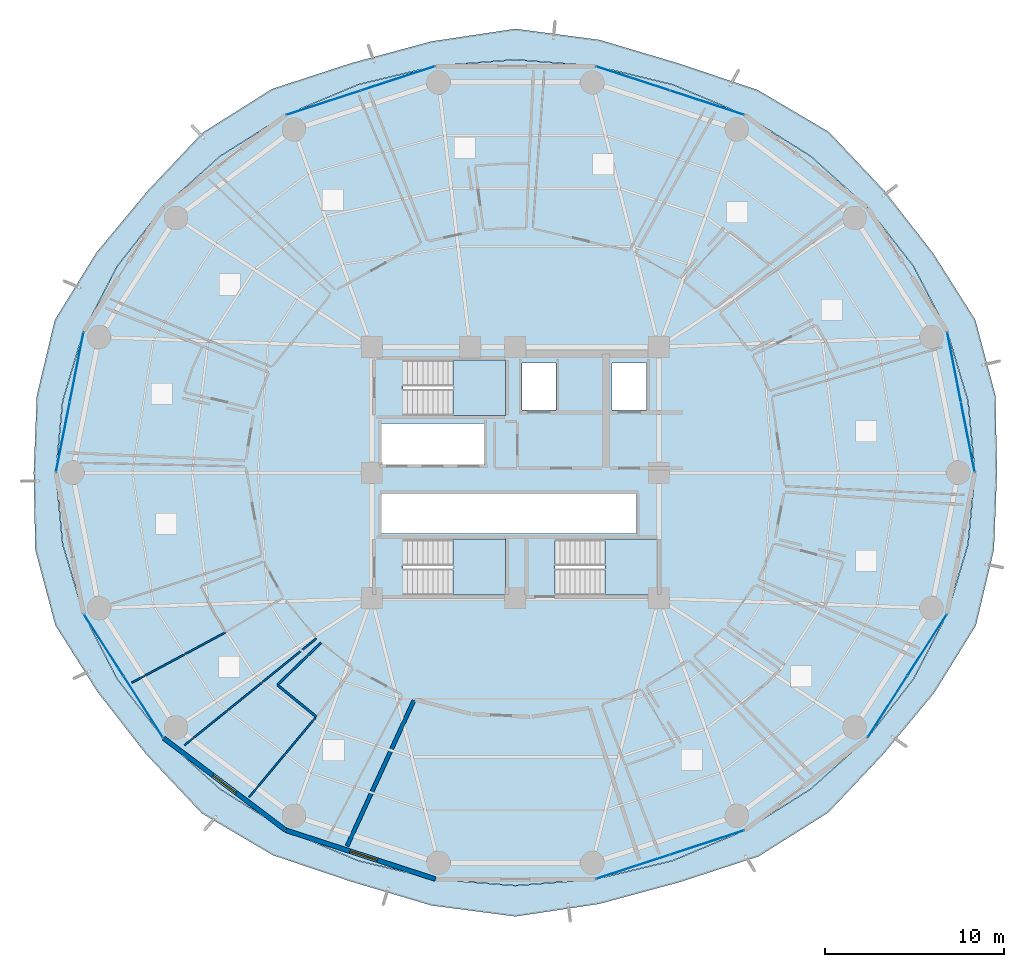
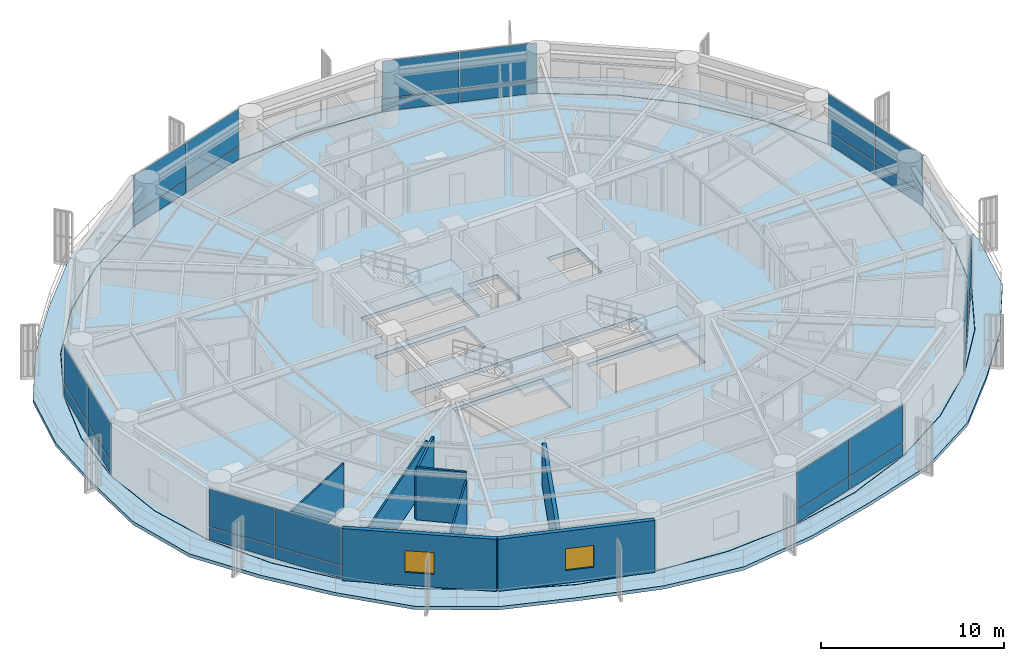
# One storey, part 28 of 37: 28 plates, 8 walls, 5 slabs, 2 windows, 2 openings, 10 elements without a shape of their own.
"""IFC4 building model written with IfcOpenShell, lengths in metres."""

from ifc_helpers import new_model, si_unit, direction, frame, frame_2d, origin, origin_2d, place, context, subcontext, project, spatial, polyline, rectangle, outline, extrude, source, transform, mapped, material, layer, layer_set, type_object, element, fill, aggregate, save


model = new_model("IFC4")

# Units and contexts
model_context = context("Model", 3, precision=1e-05, world=origin(), true_north=direction((0.0, 1.0)))
body_context = subcontext(model_context, "Body", "Model", "MODEL_VIEW")
ifc_project = project(units=[si_unit("LENGTHUNIT", "METRE"), si_unit("AREAUNIT", "SQUARE_METRE"), si_unit("VOLUMEUNIT", "CUBIC_METRE"), si_unit("PLANEANGLEUNIT", "RADIAN"), si_unit("MASSUNIT", "GRAM", prefix="KILO")], contexts=[model_context])

# Site, building, storey
site_placement = place(None, origin())
site = spatial("IfcSite", under=ifc_project, at=site_placement, CompositionType="ELEMENT")
building_placement = place(site_placement, origin())
building = spatial("IfcBuilding", under=site, at=building_placement, Name="Kelanora Arch Commons", CompositionType="ELEMENT")
storey_placement = place(building_placement, frame((0.0, 0.0, 110.10009765625)))
storey = spatial("IfcBuildingStorey", under=building, at=storey_placement, Name="L28", CompositionType="ELEMENT", Elevation=110.10009765625)

# Stair, slab
ifc_material_1 = material(Name="Concrete C40/50", Category="concrete")
stair_type = type_object("IfcStairType", Name="STR-DL-375", PredefinedType="HALF_TURN_STAIR", material=ifc_material_1)
stair_1_placement = place(storey_placement, origin())
stair_1 = element("IfcStair", 1, at=stair_1_placement, inside=storey, type_object=stair_type, Name="L28 ST-T1", PredefinedType="HALF_TURN_STAIR")
ifc_layer_1 = layer(ifc_material_1, 0.199951171875)
ifc_layer_set_1 = layer_set([ifc_layer_1], Name="Concrete C40/50")
slab_type_1 = type_object("IfcSlabType", Name="SLB-STAIR-LND", PredefinedType="LANDING", material=ifc_layer_set_1)
slab_1_placement = place(storey_placement, frame((0.0, 0.0, 1.6748046875)))
slab_1 = element("IfcSlab", 2, at=slab_1_placement, type_object=slab_type_1, Name="ST-T1 landing 1", PredefinedType="LANDING", context=body_context, shape_type="SweptSolid", body=[
    extrude(outline(polyline([(70.52001953125, 61.179931640625), (73.43994140625, 61.179931640625), (73.43994140625, 64.2900390625), (70.52001953125, 64.2900390625), (70.52001953125, 61.179931640625)])), origin(), (0.0, 0.0, 1.0), 0.2001953125),
])
aggregate(stair_1, [slab_1])

stair_2_placement = place(storey_placement, origin())
stair_2 = element("IfcStair", 3, at=stair_2_placement, inside=storey, type_object=stair_type, Name="L28 ST-T2", PredefinedType="HALF_TURN_STAIR")
slab_2_placement = place(storey_placement, frame((0.0, 0.0, 1.6748046875)))
slab_2 = element("IfcSlab", 4, at=slab_2_placement, type_object=slab_type_1, Name="ST-T2 landing 1", PredefinedType="LANDING", context=body_context, shape_type="SweptSolid", body=[
    extrude(outline(polyline([(79.0, 51.179931640625), (81.919921875, 51.179931640625), (81.919921875, 54.2900390625), (79.0, 54.2900390625), (79.0, 51.179931640625)])), origin(), (0.0, 0.0, 1.0), 0.2001953125),
])
aggregate(stair_2, [slab_2])

stair_3_placement = place(storey_placement, origin())
stair_3 = element("IfcStair", 5, at=stair_3_placement, inside=storey, type_object=stair_type, Name="L28 ST-T3", PredefinedType="HALF_TURN_STAIR")
slab_3_placement = place(storey_placement, frame((0.0, 0.0, 1.6748046875)))
slab_3 = element("IfcSlab", 6, at=slab_3_placement, type_object=slab_type_1, Name="ST-T3 landing 1", PredefinedType="LANDING", context=body_context, shape_type="SweptSolid", body=[
    extrude(outline(polyline([(70.52001953125, 51.179931640625), (73.43994140625, 51.179931640625), (73.43994140625, 54.2900390625), (70.52001953125, 54.2900390625), (70.52001953125, 51.179931640625)])), origin(), (0.0, 0.0, 1.0), 0.2001953125),
])
aggregate(stair_3, [slab_3])

# Slabs
ifc_layer_2 = layer(ifc_material_1, 0.260009765625)
ifc_layer_set_2 = layer_set([ifc_layer_2], Name="Concrete C40/50")
slab_type_2 = type_object("IfcSlabType", Name="SLB-TWR-TYP", PredefinedType="FLOOR", material=ifc_layer_set_2)
slab_4_placement = place(storey_placement, frame((0.0, 0.0, -0.260009765625)))
element("IfcSlab", 7, at=slab_4_placement, inside=storey, type_object=slab_type_2, Name="Tower Floor Slab L28", PredefinedType="FLOOR", context=body_context, shape_type="SweptSolid", body=[
    extrude(outline(polyline([(99.60009765625, 58.0), (99.211181640625, 61.993896484375), (98.05615234375, 65.866455078125), (96.17041015625, 69.5), (93.610595703125, 72.7841796875), (90.455322265625, 75.618896484375), (86.800048828125, 77.918701171875), (82.755615234375, 79.61279296875), (78.4453125, 80.650634765625), (74.0, 81.0), (69.5546875, 80.650634765625), (65.244384765625, 79.61279296875), (61.199951171875, 77.918701171875), (57.544677734375, 75.618896484375), (54.389404296875, 72.7841796875), (51.82958984375, 69.5), (49.94384765625, 65.866455078125), (48.788818359375, 61.993896484375), (48.39990234375, 58.0), (48.788818359375, 54.006103515625), (49.94384765625, 50.133544921875), (51.82958984375, 46.5), (54.389404296875, 43.2158203125), (57.544677734375, 40.381103515625), (61.199951171875, 38.081298828125), (65.244384765625, 36.38720703125), (69.5546875, 35.349365234375), (74.0, 35.0), (78.4453125, 35.349365234375), (82.755615234375, 36.38720703125), (86.800048828125, 38.081298828125), (90.455322265625, 40.381103515625), (93.610595703125, 43.2158203125), (96.17041015625, 46.5), (98.05615234375, 50.133544921875), (99.211181640625, 54.006103515625), (99.60009765625, 58.0)]), holes=[polyline([(73.431884765625, 51.18798828125), (67.72802734375, 51.18798828125), (67.72802734375, 54.281982421875), (73.431884765625, 54.281982421875), (73.431884765625, 51.18798828125)]), polyline([(76.2080078125, 51.18798828125), (76.2080078125, 54.281982421875), (81.912109375, 54.281982421875), (81.912109375, 51.18798828125), (76.2080078125, 51.18798828125)]), polyline([(66.550048828125, 54.60009765625), (66.550048828125, 56.800048828125), (80.75, 56.800048828125), (80.75, 54.60009765625), (66.550048828125, 54.60009765625)]), polyline([(66.550048828125, 58.449951171875), (66.550048828125, 60.75), (72.25, 60.75), (72.25, 58.449951171875), (66.550048828125, 58.449951171875)]), polyline([(67.72802734375, 61.18798828125), (67.72802734375, 64.281982421875), (73.431884765625, 64.281982421875), (73.431884765625, 61.18798828125), (67.72802734375, 61.18798828125)]), polyline([(74.3798828125, 61.47998046875), (74.3798828125, 64.1201171875), (76.260009765625, 64.1201171875), (76.260009765625, 61.47998046875), (74.3798828125, 61.47998046875)]), polyline([(79.3798828125, 61.47998046875), (79.3798828125, 64.1201171875), (81.320068359375, 64.1201171875), (81.320068359375, 61.47998046875), (79.3798828125, 61.47998046875)])]), origin(), (0.0, 0.0, 1.0), 0.260009765625),
])
ifc_layer_3 = layer(ifc_material_1, 0.219970703125)
ifc_layer_set_3 = layer_set([ifc_layer_3], Name="Concrete C40/50")
slab_type_3 = type_object("IfcSlabType", Name="SLB-WAVE-BAL", PredefinedType="FLOOR", material=ifc_layer_set_3)
slab_5_placement = place(storey_placement, frame((0.0, 0.0, -0.22021484375)))
element("IfcSlab", 8, at=slab_5_placement, inside=storey, type_object=slab_type_3, Name="Sinusoidal Wave Balcony Slab L28", PredefinedType="FLOOR", context=body_context, shape_type="SweptSolid", body=[
    extrude(outline(polyline([(100.836181640625, 58.0), (100.74951171875, 62.2958984375), (99.630615234375, 66.50439453125), (97.281982421875, 70.214599609375), (94.57666015625, 73.686279296875), (91.47802734375, 76.9755859375), (87.52197265625, 79.310302734375), (83.139892578125, 80.787841796875), (78.67724609375, 82.114501953125), (74.0, 82.728515625), (69.336181640625, 82.0302734375), (64.850830078125, 80.81591796875), (60.443603515625, 79.377197265625), (56.5556640625, 76.930908203125), (53.464111328125, 73.648193359375), (50.65478515625, 70.255126953125), (48.341796875, 66.515380859375), (47.33447265625, 62.279296875), (47.163818359375, 58.0), (47.25048828125, 53.7041015625), (48.369384765625, 49.49560546875), (50.718017578125, 45.785400390625), (53.42333984375, 42.313720703125), (56.52197265625, 39.0244140625), (60.47802734375, 36.689697265625), (64.860107421875, 35.212158203125), (69.32275390625, 33.885498046875), (74.0, 33.271484375), (78.663818359375, 33.9697265625), (83.149169921875, 35.18408203125), (87.556396484375, 36.622802734375), (91.4443359375, 39.069091796875), (94.535888671875, 42.351806640625), (97.34521484375, 45.744873046875), (99.658203125, 49.484619140625), (100.66552734375, 53.720703125), (100.836181640625, 58.0)]), holes=[polyline([(99.230712890625, 54.002685546875), (98.074951171875, 50.126708984375), (96.1875, 46.489990234375), (93.626220703125, 43.202880859375), (90.46826171875, 40.36572265625), (86.81005859375, 38.064208984375), (82.7626953125, 36.368408203125), (78.448974609375, 35.32958984375), (74.0, 34.97998046875), (69.551025390625, 35.32958984375), (65.2373046875, 36.368408203125), (61.18994140625, 38.064208984375), (57.53173828125, 40.36572265625), (54.373779296875, 43.202880859375), (51.8125, 46.489990234375), (49.925048828125, 50.126708984375), (48.769287109375, 54.002685546875), (48.3798828125, 58.0), (48.769287109375, 61.997314453125), (49.925048828125, 65.873291015625), (51.8125, 69.510009765625), (54.373779296875, 72.797119140625), (57.53173828125, 75.63427734375), (61.18994140625, 77.935791015625), (65.2373046875, 79.631591796875), (69.551025390625, 80.67041015625), (74.0, 81.02001953125), (78.448974609375, 80.67041015625), (82.7626953125, 79.631591796875), (86.81005859375, 77.935791015625), (90.46826171875, 75.63427734375), (93.626220703125, 72.797119140625), (96.1875, 69.510009765625), (98.074951171875, 65.873291015625), (99.230712890625, 61.997314453125), (99.6201171875, 58.0), (99.230712890625, 54.002685546875)])]), origin(), (0.0, 0.0, 1.0), 0.22021484375),
])

# Curtain wall, plates
ifc_material_2 = material(Name="Terracotta ceramic-fritted low-E glass and aluminium", Category="masonry")
ifc_layer_4 = layer(ifc_material_2, 0.159912109375)
ifc_layer_set_4 = layer_set([ifc_layer_4], Name="Terracotta ceramic-fritted low-E glass and aluminium")
curtain_wall_type = type_object("IfcCurtainWallType", Name="CW-SYS-01", PredefinedType="NOTDEFINED", material=ifc_layer_set_4)
curtain_wall_1_placement = place(storey_placement, origin())
curtain_wall_1 = element("IfcCurtainWall", 9, at=curtain_wall_1_placement, inside=storey, type_object=curtain_wall_type, Name="Unitised Curtain Wall L28-B00", PredefinedType="NOTDEFINED")
ifc_material_3 = material(Name="Terracotta ceramic-fritted double glazing", Category="masonry")
ifc_layer_5 = layer(ifc_material_3, 0.028076171875)
ifc_layer_set_5 = layer_set([ifc_layer_5], Name="Terracotta ceramic-fritted double glazing")
plate_type = type_object("IfcPlateType", Name="CWP-FRIT", PredefinedType="CURTAIN_PANEL", material=ifc_layer_set_5)
shared_shape_1 = source(origin(), body_context, "Body", "SweptSolid", [
    extrude(rectangle(XDim=3.9033203125, YDim=0.028076171875, at=origin_2d()), origin(), (0.0, 0.0, 1.0), 0.81005859375),
])
plate_1_placement = place(storey_placement, frame((99.209716796875, 59.98876953125, 0.059814453125), z_axis=(0.0, 0.0, 1.0), x_axis=(-0.192584916272, 0.981280311646, 0.0)))
plate_1 = element("IfcPlate", 10, at=plate_1_placement, type_object=plate_type, Name="CW-01 panel 1.1", PredefinedType="CURTAIN_PANEL", context=body_context, shape_type="MappedRepresentation", body=[
    mapped(shared_shape_1, transform((0.0, 0.0, 0.0), scale=1.0)),
])
plate_2_placement = place(storey_placement, frame((98.446533203125, 63.877685546875, 0.059814453125), z_axis=(0.0, 0.0, 1.0), x_axis=(-0.192584916272, 0.981280311646, 0.0)))
plate_2 = element("IfcPlate", 11, at=plate_2_placement, type_object=plate_type, Name="CW-01 panel 2.1", PredefinedType="CURTAIN_PANEL", context=body_context, shape_type="MappedRepresentation", body=[
    mapped(shared_shape_1, transform((0.0, 0.0, 0.0), scale=1.0)),
])

curtain_wall_2_placement = place(storey_placement, origin())
curtain_wall_2 = element("IfcCurtainWall", 12, at=curtain_wall_2_placement, inside=storey, type_object=curtain_wall_type, Name="Unitised Curtain Wall L28-B08", PredefinedType="NOTDEFINED")
plate_3_placement = place(storey_placement, frame((49.553466796875, 63.877685546875, 0.059814453125), z_axis=(0.0, 0.0, 1.0), x_axis=(-0.192584916272, -0.981280311646, 0.0)))
plate_3 = element("IfcPlate", 13, at=plate_3_placement, type_object=plate_type, Name="CW-01 panel 1.1", PredefinedType="CURTAIN_PANEL", context=body_context, shape_type="MappedRepresentation", body=[
    mapped(shared_shape_1, transform((0.0, 0.0, 0.0), scale=1.0)),
])
plate_4_placement = place(storey_placement, frame((48.790283203125, 59.98876953125, 0.059814453125), z_axis=(0.0, 0.0, 1.0), x_axis=(-0.192584916272, -0.981280311646, 0.0)))
plate_4 = element("IfcPlate", 14, at=plate_4_placement, type_object=plate_type, Name="CW-01 panel 2.1", PredefinedType="CURTAIN_PANEL", context=body_context, shape_type="MappedRepresentation", body=[
    mapped(shared_shape_1, transform((0.0, 0.0, 0.0), scale=1.0)),
])

# Plate
shared_shape_2 = source(origin(), body_context, "Body", "SweptSolid", [
    extrude(rectangle(XDim=3.9033203125, YDim=0.028076171875, at=origin_2d()), origin(), (0.0, 0.0, 1.0), 2.485107421875),
])
plate_5_placement = place(storey_placement, frame((99.209716796875, 59.98876953125, 0.9296875), z_axis=(0.0, 0.0, 1.0), x_axis=(-0.192584916272, 0.981280311646, 0.0)))
plate_5 = element("IfcPlate", 15, at=plate_5_placement, type_object=plate_type, Name="CW-01 panel 1.2", PredefinedType="CURTAIN_PANEL", context=body_context, shape_type="MappedRepresentation", body=[
    mapped(shared_shape_2, transform((0.0, 0.0, 0.0), scale=1.0)),
])

plate_6_placement = place(storey_placement, frame((98.446533203125, 63.877685546875, 0.9296875), z_axis=(0.0, 0.0, 1.0), x_axis=(-0.192584916272, 0.981280311646, 0.0)))
plate_6 = element("IfcPlate", 16, at=plate_6_placement, type_object=plate_type, Name="CW-01 panel 2.2", PredefinedType="CURTAIN_PANEL", context=body_context, shape_type="MappedRepresentation", body=[
    mapped(shared_shape_2, transform((0.0, 0.0, 0.0), scale=1.0)),
])

aggregate(curtain_wall_1, [plate_1, plate_5, plate_2, plate_6])

plate_7_placement = place(storey_placement, frame((49.553466796875, 63.877685546875, 0.9296875), z_axis=(0.0, 0.0, 1.0), x_axis=(-0.192584916272, -0.981280311646, 0.0)))
plate_7 = element("IfcPlate", 17, at=plate_7_placement, type_object=plate_type, Name="CW-01 panel 1.2", PredefinedType="CURTAIN_PANEL", context=body_context, shape_type="MappedRepresentation", body=[
    mapped(shared_shape_2, transform((0.0, 0.0, 0.0), scale=1.0)),
])

plate_8_placement = place(storey_placement, frame((48.790283203125, 59.98876953125, 0.9296875), z_axis=(0.0, 0.0, 1.0), x_axis=(-0.192584916272, -0.981280311646, 0.0)))
plate_8 = element("IfcPlate", 18, at=plate_8_placement, type_object=plate_type, Name="CW-01 panel 2.2", PredefinedType="CURTAIN_PANEL", context=body_context, shape_type="MappedRepresentation", body=[
    mapped(shared_shape_2, transform((0.0, 0.0, 0.0), scale=1.0)),
])

aggregate(curtain_wall_2, [plate_3, plate_7, plate_4, plate_8])

# Curtain wall, plates
curtain_wall_3_placement = place(storey_placement, origin())
curtain_wall_3 = element("IfcCurtainWall", 19, at=curtain_wall_3_placement, inside=storey, type_object=curtain_wall_type, Name="Unitised Curtain Wall L28-B03", PredefinedType="NOTDEFINED")
shared_shape_3 = source(origin(), body_context, "Body", "SweptSolid", [
    extrude(rectangle(XDim=4.2900390625, YDim=0.028076171875, at=origin_2d()), origin(), (0.0, 0.0, 1.0), 0.81005859375),
])
plate_9_placement = place(storey_placement, frame((84.68994140625, 78.608642578125, 0.059814453125), z_axis=(0.0, 0.0, 1.0), x_axis=(-0.950473795867, 0.31080470294, 0.0)))
plate_9 = element("IfcPlate", 20, at=plate_9_placement, type_object=plate_type, Name="CW-01 panel 1.1", PredefinedType="CURTAIN_PANEL", context=body_context, shape_type="MappedRepresentation", body=[
    mapped(shared_shape_3, transform((0.0, 0.0, 0.0), scale=1.0)),
])
plate_10_placement = place(storey_placement, frame((80.555419921875, 79.960693359375, 0.059814453125), z_axis=(0.0, 0.0, 1.0), x_axis=(-0.950473795867, 0.31080470294, 0.0)))
plate_10 = element("IfcPlate", 21, at=plate_10_placement, type_object=plate_type, Name="CW-01 panel 2.1", PredefinedType="CURTAIN_PANEL", context=body_context, shape_type="MappedRepresentation", body=[
    mapped(shared_shape_3, transform((0.0, 0.0, 0.0), scale=1.0)),
])

curtain_wall_4_placement = place(storey_placement, origin())
curtain_wall_4 = element("IfcCurtainWall", 22, at=curtain_wall_4_placement, inside=storey, type_object=curtain_wall_type, Name="Unitised Curtain Wall L28-B05", PredefinedType="NOTDEFINED")
plate_11_placement = place(storey_placement, frame((67.444580078125, 79.960693359375, 0.059814453125), z_axis=(0.0, 0.0, 1.0), x_axis=(-0.950473795867, -0.31080470294, 0.0)))
plate_11 = element("IfcPlate", 23, at=plate_11_placement, type_object=plate_type, Name="CW-01 panel 1.1", PredefinedType="CURTAIN_PANEL", context=body_context, shape_type="MappedRepresentation", body=[
    mapped(shared_shape_3, transform((0.0, 0.0, 0.0), scale=1.0)),
])
plate_12_placement = place(storey_placement, frame((63.31005859375, 78.608642578125, 0.059814453125), z_axis=(0.0, 0.0, 1.0), x_axis=(-0.950473795867, -0.31080470294, 0.0)))
plate_12 = element("IfcPlate", 24, at=plate_12_placement, type_object=plate_type, Name="CW-01 panel 2.1", PredefinedType="CURTAIN_PANEL", context=body_context, shape_type="MappedRepresentation", body=[
    mapped(shared_shape_3, transform((0.0, 0.0, 0.0), scale=1.0)),
])

curtain_wall_5_placement = place(storey_placement, origin())
curtain_wall_5 = element("IfcCurtainWall", 25, at=curtain_wall_5_placement, inside=storey, type_object=curtain_wall_type, Name="Unitised Curtain Wall L28-B14", PredefinedType="NOTDEFINED")
plate_13_placement = place(storey_placement, frame((80.555419921875, 36.039306640625, 0.059814453125), z_axis=(0.0, 0.0, 1.0), x_axis=(0.950473795867, 0.31080470294, 0.0)))
plate_13 = element("IfcPlate", 26, at=plate_13_placement, type_object=plate_type, Name="CW-01 panel 1.1", PredefinedType="CURTAIN_PANEL", context=body_context, shape_type="MappedRepresentation", body=[
    mapped(shared_shape_3, transform((0.0, 0.0, 0.0), scale=1.0)),
])
plate_14_placement = place(storey_placement, frame((84.68994140625, 37.391357421875, 0.059814453125), z_axis=(0.0, 0.0, 1.0), x_axis=(0.950473795867, 0.31080470294, 0.0)))
plate_14 = element("IfcPlate", 27, at=plate_14_placement, type_object=plate_type, Name="CW-01 panel 2.1", PredefinedType="CURTAIN_PANEL", context=body_context, shape_type="MappedRepresentation", body=[
    mapped(shared_shape_3, transform((0.0, 0.0, 0.0), scale=1.0)),
])

# Plate
shared_shape_4 = source(origin(), body_context, "Body", "SweptSolid", [
    extrude(rectangle(XDim=4.2900390625, YDim=0.028076171875, at=origin_2d()), origin(), (0.0, 0.0, 1.0), 2.485107421875),
])
plate_15_placement = place(storey_placement, frame((84.68994140625, 78.608642578125, 0.9296875), z_axis=(0.0, 0.0, 1.0), x_axis=(-0.950473795867, 0.31080470294, 0.0)))
plate_15 = element("IfcPlate", 28, at=plate_15_placement, type_object=plate_type, Name="CW-01 panel 1.2", PredefinedType="CURTAIN_PANEL", context=body_context, shape_type="MappedRepresentation", body=[
    mapped(shared_shape_4, transform((0.0, 0.0, 0.0), scale=1.0)),
])

plate_16_placement = place(storey_placement, frame((80.555419921875, 79.960693359375, 0.9296875), z_axis=(0.0, 0.0, 1.0), x_axis=(-0.950473795867, 0.31080470294, 0.0)))
plate_16 = element("IfcPlate", 29, at=plate_16_placement, type_object=plate_type, Name="CW-01 panel 2.2", PredefinedType="CURTAIN_PANEL", context=body_context, shape_type="MappedRepresentation", body=[
    mapped(shared_shape_4, transform((0.0, 0.0, 0.0), scale=1.0)),
])

aggregate(curtain_wall_3, [plate_9, plate_15, plate_10, plate_16])

plate_17_placement = place(storey_placement, frame((67.444580078125, 79.960693359375, 0.9296875), z_axis=(0.0, 0.0, 1.0), x_axis=(-0.950473795867, -0.31080470294, 0.0)))
plate_17 = element("IfcPlate", 30, at=plate_17_placement, type_object=plate_type, Name="CW-01 panel 1.2", PredefinedType="CURTAIN_PANEL", context=body_context, shape_type="MappedRepresentation", body=[
    mapped(shared_shape_4, transform((0.0, 0.0, 0.0), scale=1.0)),
])

plate_18_placement = place(storey_placement, frame((63.31005859375, 78.608642578125, 0.9296875), z_axis=(0.0, 0.0, 1.0), x_axis=(-0.950473795867, -0.31080470294, 0.0)))
plate_18 = element("IfcPlate", 31, at=plate_18_placement, type_object=plate_type, Name="CW-01 panel 2.2", PredefinedType="CURTAIN_PANEL", context=body_context, shape_type="MappedRepresentation", body=[
    mapped(shared_shape_4, transform((0.0, 0.0, 0.0), scale=1.0)),
])

aggregate(curtain_wall_4, [plate_11, plate_17, plate_12, plate_18])

plate_19_placement = place(storey_placement, frame((80.555419921875, 36.039306640625, 0.9296875), z_axis=(0.0, 0.0, 1.0), x_axis=(0.950473795867, 0.31080470294, 0.0)))
plate_19 = element("IfcPlate", 32, at=plate_19_placement, type_object=plate_type, Name="CW-01 panel 1.2", PredefinedType="CURTAIN_PANEL", context=body_context, shape_type="MappedRepresentation", body=[
    mapped(shared_shape_4, transform((0.0, 0.0, 0.0), scale=1.0)),
])

plate_20_placement = place(storey_placement, frame((84.68994140625, 37.391357421875, 0.9296875), z_axis=(0.0, 0.0, 1.0), x_axis=(0.950473795867, 0.31080470294, 0.0)))
plate_20 = element("IfcPlate", 33, at=plate_20_placement, type_object=plate_type, Name="CW-01 panel 2.2", PredefinedType="CURTAIN_PANEL", context=body_context, shape_type="MappedRepresentation", body=[
    mapped(shared_shape_4, transform((0.0, 0.0, 0.0), scale=1.0)),
])

aggregate(curtain_wall_5, [plate_13, plate_19, plate_14, plate_20])

# Curtain wall, plates
curtain_wall_6_placement = place(storey_placement, origin())
curtain_wall_6 = element("IfcCurtainWall", 34, at=curtain_wall_6_placement, inside=storey, type_object=curtain_wall_type, Name="Unitised Curtain Wall L28-B10", PredefinedType="NOTDEFINED")
shared_shape_5 = source(origin(), body_context, "Body", "SweptSolid", [
    extrude(rectangle(XDim=4.00634765625, YDim=0.028076171875, at=origin_2d()), origin(), (0.0, 0.0, 1.0), 0.81005859375),
])
plate_21_placement = place(storey_placement, frame((51.0673828125, 48.38525390625, 0.059814453125), z_axis=(0.0, 0.0, 1.0), x_axis=(0.540616931244, -0.841268883088, 0.0)))
plate_21 = element("IfcPlate", 35, at=plate_21_placement, type_object=plate_type, Name="CW-01 panel 1.1", PredefinedType="CURTAIN_PANEL", context=body_context, shape_type="MappedRepresentation", body=[
    mapped(shared_shape_5, transform((0.0, 0.0, 0.0), scale=1.0)),
])
plate_22_placement = place(storey_placement, frame((53.265869140625, 44.964111328125, 0.059814453125), z_axis=(0.0, 0.0, 1.0), x_axis=(0.540616931244, -0.841268883088, 0.0)))
plate_22 = element("IfcPlate", 36, at=plate_22_placement, type_object=plate_type, Name="CW-01 panel 2.1", PredefinedType="CURTAIN_PANEL", context=body_context, shape_type="MappedRepresentation", body=[
    mapped(shared_shape_5, transform((0.0, 0.0, 0.0), scale=1.0)),
])

curtain_wall_7_placement = place(storey_placement, origin())
curtain_wall_7 = element("IfcCurtainWall", 37, at=curtain_wall_7_placement, inside=storey, type_object=curtain_wall_type, Name="Unitised Curtain Wall L28-B16", PredefinedType="NOTDEFINED")
plate_23_placement = place(storey_placement, frame((94.734130859375, 44.964111328125, 0.059814453125), z_axis=(0.0, 0.0, 1.0), x_axis=(0.540616931244, 0.841268883088, 0.0)))
plate_23 = element("IfcPlate", 38, at=plate_23_placement, type_object=plate_type, Name="CW-01 panel 1.1", PredefinedType="CURTAIN_PANEL", context=body_context, shape_type="MappedRepresentation", body=[
    mapped(shared_shape_5, transform((0.0, 0.0, 0.0), scale=1.0)),
])
plate_24_placement = place(storey_placement, frame((96.9326171875, 48.38525390625, 0.059814453125), z_axis=(0.0, 0.0, 1.0), x_axis=(0.540616931244, 0.841268883088, 0.0)))
plate_24 = element("IfcPlate", 39, at=plate_24_placement, type_object=plate_type, Name="CW-01 panel 2.1", PredefinedType="CURTAIN_PANEL", context=body_context, shape_type="MappedRepresentation", body=[
    mapped(shared_shape_5, transform((0.0, 0.0, 0.0), scale=1.0)),
])

# Plate
shared_shape_6 = source(origin(), body_context, "Body", "SweptSolid", [
    extrude(rectangle(XDim=4.00634765625, YDim=0.028076171875, at=origin_2d()), origin(), (0.0, 0.0, 1.0), 2.485107421875),
])
plate_25_placement = place(storey_placement, frame((51.0673828125, 48.38525390625, 0.9296875), z_axis=(0.0, 0.0, 1.0), x_axis=(0.540616931244, -0.841268883088, 0.0)))
plate_25 = element("IfcPlate", 40, at=plate_25_placement, type_object=plate_type, Name="CW-01 panel 1.2", PredefinedType="CURTAIN_PANEL", context=body_context, shape_type="MappedRepresentation", body=[
    mapped(shared_shape_6, transform((0.0, 0.0, 0.0), scale=1.0)),
])

plate_26_placement = place(storey_placement, frame((53.265869140625, 44.964111328125, 0.9296875), z_axis=(0.0, 0.0, 1.0), x_axis=(0.540616931244, -0.841268883088, 0.0)))
plate_26 = element("IfcPlate", 41, at=plate_26_placement, type_object=plate_type, Name="CW-01 panel 2.2", PredefinedType="CURTAIN_PANEL", context=body_context, shape_type="MappedRepresentation", body=[
    mapped(shared_shape_6, transform((0.0, 0.0, 0.0), scale=1.0)),
])

aggregate(curtain_wall_6, [plate_21, plate_25, plate_22, plate_26])

plate_27_placement = place(storey_placement, frame((94.734130859375, 44.964111328125, 0.9296875), z_axis=(0.0, 0.0, 1.0), x_axis=(0.540616931244, 0.841268883088, 0.0)))
plate_27 = element("IfcPlate", 42, at=plate_27_placement, type_object=plate_type, Name="CW-01 panel 1.2", PredefinedType="CURTAIN_PANEL", context=body_context, shape_type="MappedRepresentation", body=[
    mapped(shared_shape_6, transform((0.0, 0.0, 0.0), scale=1.0)),
])

plate_28_placement = place(storey_placement, frame((96.9326171875, 48.38525390625, 0.9296875), z_axis=(0.0, 0.0, 1.0), x_axis=(0.540616931244, 0.841268883088, 0.0)))
plate_28 = element("IfcPlate", 43, at=plate_28_placement, type_object=plate_type, Name="CW-01 panel 2.2", PredefinedType="CURTAIN_PANEL", context=body_context, shape_type="MappedRepresentation", body=[
    mapped(shared_shape_6, transform((0.0, 0.0, 0.0), scale=1.0)),
])

aggregate(curtain_wall_7, [plate_23, plate_27, plate_24, plate_28])

# Wall, opening, window
ifc_material_4 = material(Name="Precast concrete C40/50 with terracotta rainscreen", Category="masonry")
ifc_layer_6 = layer(ifc_material_4, 0.260009765625)
ifc_layer_set_6 = layer_set([ifc_layer_6], Name="Precast concrete C40/50 with terracotta rainscreen")
wall_type_1 = type_object("IfcWallType", Name="W-EXT-TC", PredefinedType="SOLIDWALL", material=ifc_layer_set_6)
wall_1_placement = place(storey_placement, frame((54.4013671875, 43.206787109375, 0.0), z_axis=(0.0, 0.0, 1.0), x_axis=(0.798501507879, -0.601992808857, 0.0)))
wall_1 = element("IfcWall", 44, at=wall_1_placement, inside=storey, type_object=wall_type_1, Name="Terracotta Exterior Wall L28-B11", PredefinedType="SOLIDWALL", context=body_context, shape_type="SweptSolid", body=[
    extrude(rectangle(XDim=8.499267578125, YDim=0.260009765625, at=frame_2d((4.24951171875, 0.0))), origin(), (0.0, 0.0, 1.0), 3.474853515625),
])
opening_1_placement = place(wall_1_placement, frame((3.449951171875, 0.0, 0.85009765625)))
opening_1 = element("IfcOpeningElement", 45, at=opening_1_placement, cuts=wall_1, Name="Opening WN-01", PredefinedType="OPENING", context=body_context, shape_type="SweptSolid", body=[
    extrude(rectangle(XDim=1.60009765625, YDim=1.449951171875, at=frame_2d((0.800048828125, 0.72509765625))), frame((0.0, 0.14013671875, 0.0), z_axis=(0.0, -1.0, 0.0), x_axis=(1.0, 0.0, 0.0)), (0.0, 0.0, 1.0), 0.280029296875),
])
ifc_material_5 = material(Name="Terracotta-anodised aluminium frame with operable low-E glazing", Category="masonry")
window_type = type_object("IfcWindowType", Name="WIN-CL-18", PartitioningType="DOUBLE_PANEL_VERTICAL", PredefinedType="WINDOW", material=ifc_material_5)
window_1_placement = place(opening_1_placement, origin())
window_1 = element("IfcWindow", 46, at=window_1_placement, inside=storey, type_object=window_type, Name="Co-Living Operable Window L28-B11", OverallHeight=1.449951171875, OverallWidth=1.60009765625, PartitioningType="SINGLE_PANEL", PredefinedType="WINDOW", context=body_context, shape_type="SweptSolid", body=[
    extrude(rectangle(XDim=1.60009765625, YDim=1.449951171875, at=frame_2d((0.800048828125, 0.72509765625))), frame((0.0, 0.030029296875, 0.0), z_axis=(0.0, -1.0, 0.0), x_axis=(1.0, 0.0, 0.0)), (0.0, 0.0, 1.0), 0.06005859375),
])
fill(opening_1, window_1)

wall_2_placement = place(storey_placement, frame((61.21435546875, 38.07666015625, 0.0), z_axis=(0.0, 0.0, 1.0), x_axis=(0.950471101963, -0.310812941064, 0.0)))
wall_2 = element("IfcWall", 47, at=wall_2_placement, inside=storey, type_object=wall_type_1, Name="Terracotta Exterior Wall L28-B12", PredefinedType="SOLIDWALL", context=body_context, shape_type="SweptSolid", body=[
    extrude(rectangle(XDim=8.759765625, YDim=0.260009765625, at=frame_2d((4.3798828125, 0.0))), origin(), (0.0, 0.0, 1.0), 3.474853515625),
])
opening_2_placement = place(wall_2_placement, frame((3.760009765625, 0.0, 0.85009765625)))
opening_2 = element("IfcOpeningElement", 48, at=opening_2_placement, cuts=wall_2, Name="Opening WN-01", PredefinedType="OPENING", context=body_context, shape_type="SweptSolid", body=[
    extrude(rectangle(XDim=1.60009765625, YDim=1.449951171875, at=frame_2d((0.800048828125, 0.72509765625))), frame((0.0, 0.14013671875, 0.0), z_axis=(0.0, -1.0, 0.0), x_axis=(1.0, 0.0, 0.0)), (0.0, 0.0, 1.0), 0.280029296875),
])
window_2_placement = place(opening_2_placement, origin())
window_2 = element("IfcWindow", 49, at=window_2_placement, inside=storey, type_object=window_type, Name="Co-Living Operable Window L28-B12", OverallHeight=1.449951171875, OverallWidth=1.60009765625, PartitioningType="SINGLE_PANEL", PredefinedType="WINDOW", context=body_context, shape_type="SweptSolid", body=[
    extrude(rectangle(XDim=1.60009765625, YDim=1.449951171875, at=frame_2d((0.800048828125, 0.72509765625))), frame((0.0, 0.030029296875, 0.0), z_axis=(0.0, -1.0, 0.0), x_axis=(1.0, 0.0, 0.0)), (0.0, 0.0, 1.0), 0.06005859375),
])
fill(opening_2, window_2)

# Walls
ifc_material_6 = material(Name="Lightweight fire-rated acoustic stud partition")
ifc_layer_7 = layer(ifc_material_6, 0.10009765625)
ifc_layer_set_7 = layer_set([ifc_layer_7], Name="Lightweight fire-rated acoustic stud partition")
wall_type_2 = type_object("IfcWallType", Name="W-PART-100", PredefinedType="PARTITIONING", material=ifc_layer_set_7)
wall_3_placement = place(storey_placement, frame((62.90283203125, 48.751708984375, 0.0), z_axis=(0.0, 0.0, 1.0), x_axis=(-0.777323765608, -0.629100757766, 0.0)))
element("IfcWall", 50, at=wall_3_placement, inside=storey, type_object=wall_type_2, Name="Quiet Reading Carrel L28-13 Enclosure Partition 2", PredefinedType="PARTITIONING", context=body_context, shape_type="SweptSolid", body=[
    extrude(rectangle(XDim=9.439697265625, YDim=0.10009765625, at=frame_2d((4.7197265625, 0.0))), origin(), (0.0, 0.0, 1.0), 2.9248046875),
])
wall_4_placement = place(storey_placement, frame((52.63427734375, 46.298095703125, 0.0), z_axis=(0.0, 0.0, 1.0), x_axis=(0.880653600526, 0.473760736956, 0.0)))
element("IfcWall", 51, at=wall_4_placement, inside=storey, type_object=wall_type_2, Name="Quiet Reading Carrel L28-13 Enclosure Partition 4", PredefinedType="PARTITIONING", context=body_context, shape_type="SweptSolid", body=[
    extrude(rectangle(XDim=5.92578125, YDim=0.10009765625, at=frame_2d((2.962890625, 0.0))), origin(), (0.0, 0.0, 1.0), 2.974853515625),
])
wall_5_placement = place(storey_placement, frame((59.16552734375, 39.921630859375, 0.0), z_axis=(0.0, 0.0, 1.0), x_axis=(0.641042435707, 0.767505436869, 0.0)))
element("IfcWall", 52, at=wall_5_placement, inside=storey, type_object=wall_type_2, Name="Tutorial Study Alcove L28-14 Enclosure Partition 4", PredefinedType="PARTITIONING", context=body_context, shape_type="SweptSolid", body=[
    extrude(rectangle(XDim=5.7626953125, YDim=0.10009765625, at=frame_2d((2.88134765625, 0.0))), origin(), (0.0, 0.0, 1.0), 2.974853515625),
])
ifc_layer_8 = layer(ifc_material_1, 0.219970703125)
ifc_layer_set_8 = layer_set([ifc_layer_8], Name="Concrete C40/50")
wall_type_3 = type_object("IfcWallType", Name="W-REF-200", PredefinedType="SOLIDWALL", material=ifc_layer_set_8)
wall_6_placement = place(storey_placement, frame((64.62158203125, 37.193359375, 0.0), z_axis=(0.0, 0.0, 1.0), x_axis=(0.417058666801, 0.908879567625, 0.0)))
element("IfcWall", 53, at=wall_6_placement, inside=storey, type_object=wall_type_3, Name="Two-Hour Fire Refuge Holding Room L28 Enclosure Partition 8", PredefinedType="SOLIDWALL", context=body_context, shape_type="SweptSolid", body=[
    extrude(rectangle(XDim=8.94775390625, YDim=0.219970703125, at=frame_2d((4.473876953125, 0.0))), origin(), (0.0, 0.0, 1.0), 2.9248046875),
])
ifc_material_7 = material(Name="Moisture-resistant fire-rated cement-board plumbing wall")
ifc_layer_9 = layer(ifc_material_7, 0.1298828125)
ifc_layer_set_9 = layer_set([ifc_layer_9], Name="Moisture-resistant fire-rated cement-board plumbing wall")
wall_type_4 = type_object("IfcWallType", Name="W-WET-120", PredefinedType="PLUMBINGWALL", material=ifc_layer_set_9)
wall_7_placement = place(storey_placement, frame((62.909423828125, 44.400634765625, 0.0), z_axis=(0.0, 0.0, 1.0), x_axis=(-0.774562936157, 0.632496844207, 0.0)))
element("IfcWall", 54, at=wall_7_placement, inside=storey, type_object=wall_type_4, Name="Accessible Shared Floor WC L28-14 Enclosure Partition 3", PredefinedType="PLUMBINGWALL", context=body_context, shape_type="SweptSolid", body=[
    extrude(rectangle(XDim=2.7822265625, YDim=0.1298828125, at=frame_2d((1.39111328125, 0.0))), origin(), (0.0, 0.0, 1.0), 3.47998046875),
])
wall_8_placement = place(storey_placement, frame((60.75341796875, 46.18701171875, 0.0), z_axis=(0.0, 0.0, 1.0), x_axis=(0.719671825867, 0.694314383441, 0.0)))
element("IfcWall", 55, at=wall_8_placement, inside=storey, type_object=wall_type_4, Name="Accessible Shared Floor WC L28-14 Enclosure Partition 4", PredefinedType="PLUMBINGWALL", context=body_context, shape_type="SweptSolid", body=[
    extrude(rectangle(XDim=3.360107421875, YDim=0.1298828125, at=frame_2d((1.68017578125, 0.0))), origin(), (0.0, 0.0, 1.0), 3.23486328125),
])

save(model, "model.ifc")
